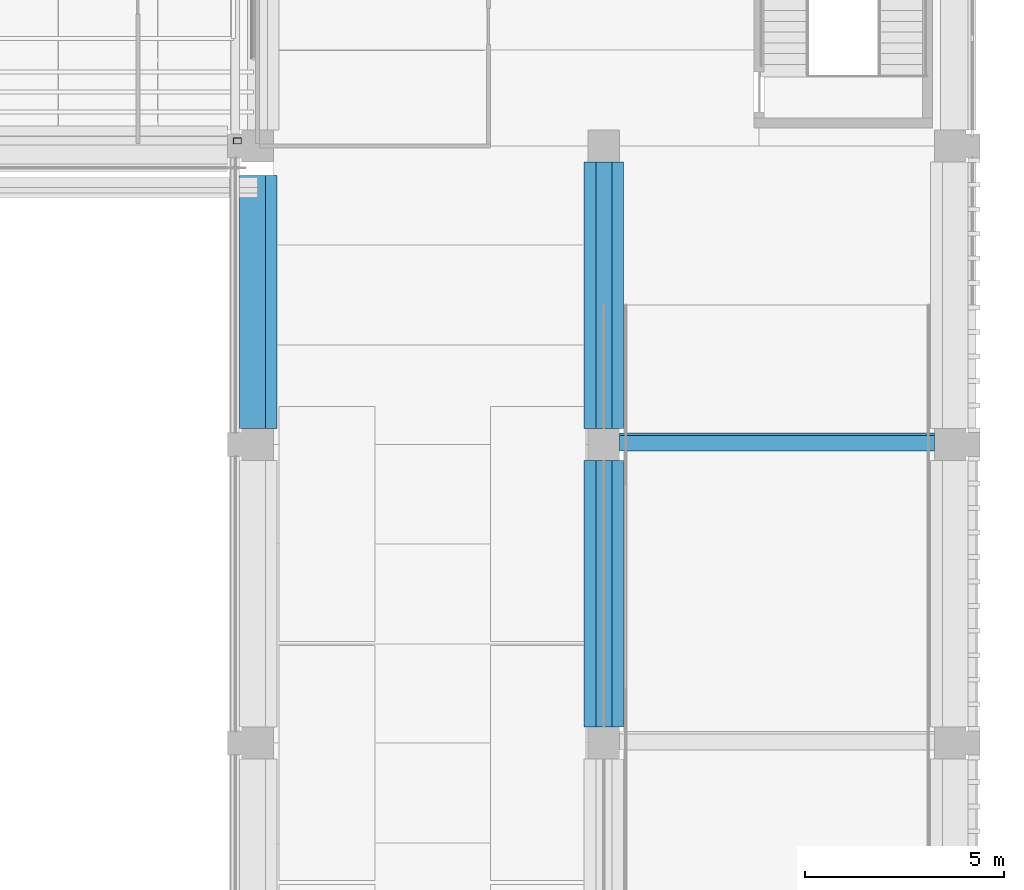
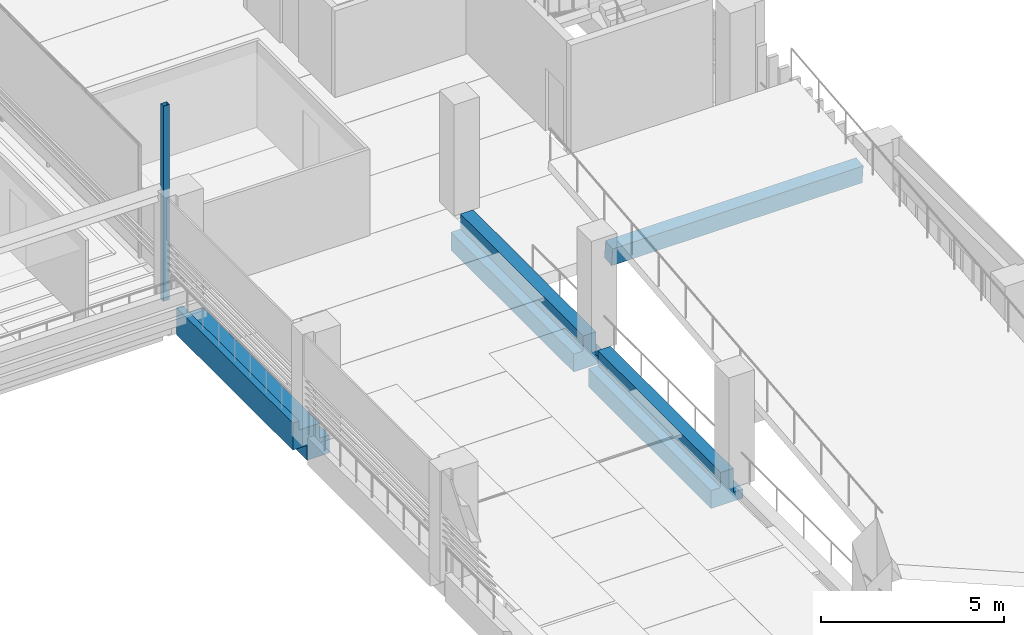
# One storey, part 25 of 62: 4 beams, 1 member.
"""IFC4 building model written with IfcOpenShell, lengths in metres."""

from ifc_helpers import new_model, si_unit, direction, frame, origin, origin_2d, place, context, subcontext, project, spatial, polyline, rectangle, hollow_rectangle, outline, extrude, material, material_profile, profile_set, type_object, element, save


model = new_model("IFC4")

# Units and contexts
model_context = context("Model", 3, precision=1e-05, world=origin(), true_north=direction((0.0, 1.0)))
body_context = subcontext(model_context, "Body", "Model", "MODEL_VIEW")
ifc_project = project(units=[si_unit("LENGTHUNIT", "METRE"), si_unit("AREAUNIT", "SQUARE_METRE"), si_unit("VOLUMEUNIT", "CUBIC_METRE"), si_unit("PLANEANGLEUNIT", "RADIAN"), si_unit("MASSUNIT", "GRAM", prefix="KILO")], contexts=[model_context])

# Site, building, storey
site_placement = place(None, origin())
site = spatial("IfcSite", under=ifc_project, at=site_placement, CompositionType="ELEMENT")
building_placement = place(site_placement, origin())
building = spatial("IfcBuilding", under=site, at=building_placement, Name="Cour d'Honneur Mobility Palace", CompositionType="ELEMENT")
storey_placement = place(building_placement, frame((0.0, 0.0, 19.300048828125)))
storey = spatial("IfcBuildingStorey", under=building, at=storey_placement, Name="L05", CompositionType="ELEMENT", Elevation=19.300048828125)

# Beams
ifc_material_1 = material(Name="Concrete C45", Category="concrete")
ifc_material_profile_1 = material_profile(ifc_material_1, outline(polyline([(0.5, -1.10009765625), (0.5, -0.5), (0.199951171875, -0.5), (0.199951171875, 0.0), (-0.199951171875, 0.0), (-0.199951171875, -0.800048828125), (-0.5, -0.800048828125), (-0.5, -1.10009765625), (0.5, -1.10009765625)])), Name="Inverted Tee Beam 400x1100 ledges 600/300 plain")
ifc_profile_set_1 = profile_set([ifc_material_profile_1], Name="Concrete C45")
beam_type_1 = type_object("IfcBeamType", Name="Inverted Tee Beam 400x1100 ledges 600/300 plain", PredefinedType="T_BEAM", material=ifc_profile_set_1)
for number, where, z_axis, x_axis, name in (
    (1, (153.60009765625, 30.39990234375, 0.0), (0.0, 1.0, 0.0), (-1.0, 0.0, 0.0), "Precast beam B19 E-F L05"),
    (2, (153.60009765625, 37.89990234375, 0.0), (0.0, 1.0, 0.0), (-1.0, 0.0, 0.0), "Precast beam B19 F-G L05"),
):
    element("IfcBeam", number, at=place(storey_placement, frame(where, z_axis=z_axis, x_axis=x_axis)), inside=storey, type_object=beam_type_1, Name=name, PredefinedType="T_BEAM", context=body_context, shape_type="SweptSolid", body=[
        extrude(outline(polyline([(0.5, -1.10009765625), (0.5, -0.5), (0.199951171875, -0.5), (0.199951171875, 0.0), (-0.199951171875, 0.0), (-0.199951171875, -0.800048828125), (-0.5, -0.800048828125), (-0.5, -1.10009765625), (0.5, -1.10009765625)])), origin(), (0.0, 0.0, 1.0), 6.7001953125),
    ])
ifc_material_2 = material(Name="Concrete C45", Category="concrete")
ifc_material_profile_2 = material_profile(ifc_material_2, outline(polyline([(0.199951171875, -1.10009765625), (0.199951171875, -0.60009765625), (0.64990234375, -0.60009765625), (0.64990234375, 0.300048828125), (0.449951171875, 0.300048828125), (0.449951171875, 0.0), (0.199951171875, 0.0), (-0.199951171875, 0.0), (-0.199951171875, -0.5), (-0.5, -0.5), (-0.5, -1.10009765625), (0.199951171875, -1.10009765625)])), Name="Ledger Beam 400x1100 ledge right 600 facade left")
ifc_profile_set_2 = profile_set([ifc_material_profile_2], Name="Concrete C45")
beam_type_2 = type_object("IfcBeamType", Name="Ledger Beam 400x1100 ledge right 600 facade left", PredefinedType="BEAM", material=ifc_profile_set_2)
beam_1_placement = place(storey_placement, frame((144.89990234375, 37.89990234375, 0.0), z_axis=(0.0, 1.0, 0.0), x_axis=(-1.0, 0.0, 0.0)))
element("IfcBeam", 3, at=beam_1_placement, inside=storey, type_object=beam_type_2, Name="Precast beam B15 F-G L05", PredefinedType="BEAM", context=body_context, shape_type="SweptSolid", body=[
    extrude(outline(polyline([(0.199951171875, -1.10009765625), (0.199951171875, -0.60009765625), (0.64990234375, -0.60009765625), (0.64990234375, 0.300048828125), (0.449951171875, 0.300048828125), (0.449951171875, 0.0), (0.199951171875, 0.0), (-0.199951171875, 0.0), (-0.199951171875, -0.5), (-0.5, -0.5), (-0.5, -1.10009765625), (0.199951171875, -1.10009765625)])), origin(), (0.0, 0.0, 1.0), 6.35009765625),
])

# Member
ifc_material_3 = material(Name="Steel S355", Category="steel")
ifc_material_profile_3 = material_profile(ifc_material_3, hollow_rectangle(XDim=0.14990234375, YDim=0.199951171875, WallThickness=0.008056640625, at=origin_2d()), Name="RHS 200x150x8")
ifc_profile_set_3 = profile_set([ifc_material_profile_3], Name="Steel S355")
member_type = type_object("IfcMemberType", Name="Pergola post RHS 200x150x8", PredefinedType="POST", material=ifc_profile_set_3)
member_placement = place(storey_placement, frame((144.39990234375, 45.125, 0.0), z_axis=(0.0, 0.0, 1.0), x_axis=(0.0, 1.0, 0.0)))
element("IfcMember", 4, at=member_placement, inside=storey, type_object=member_type, Name="Pergola post FE-S5", PredefinedType="POST", context=body_context, shape_type="SweptSolid", body=[
    extrude(hollow_rectangle(XDim=0.14990234375, YDim=0.199951171875, WallThickness=0.008056640625, at=origin_2d()), origin(), (0.0, 0.0, 1.0), 6.5),
])

# Beam
ifc_material_4 = material(Name="Concrete C40", Category="concrete")
ifc_material_profile_4 = material_profile(ifc_material_4, rectangle(XDim=0.39990234375, YDim=0.60009765625, at=origin_2d()), Name="Ramp cross beam 400x600")
ifc_profile_set_4 = profile_set([ifc_material_profile_4], Name="Concrete C40")
beam_type_3 = type_object("IfcBeamType", Name="Ramp cross beam 400x600", PredefinedType="BEAM", material=ifc_profile_set_4)
beam_2_placement = place(storey_placement, frame((161.89990234375, 37.559814453125, 2.7529296875), z_axis=(-1.0, 0.0, 0.0), x_axis=(0.0, -0.995037190449, -0.099503716633)))
element("IfcBeam", 5, at=beam_2_placement, inside=storey, type_object=beam_type_3, Name="Ramp cross beam SE.R5-5", PredefinedType="BEAM", context=body_context, shape_type="SweptSolid", body=[
    extrude(rectangle(XDim=0.39990234375, YDim=0.60009765625, at=origin_2d()), origin(), (0.0, 0.0, 1.0), 7.89990234375),
])

save(model, "model.ifc")
